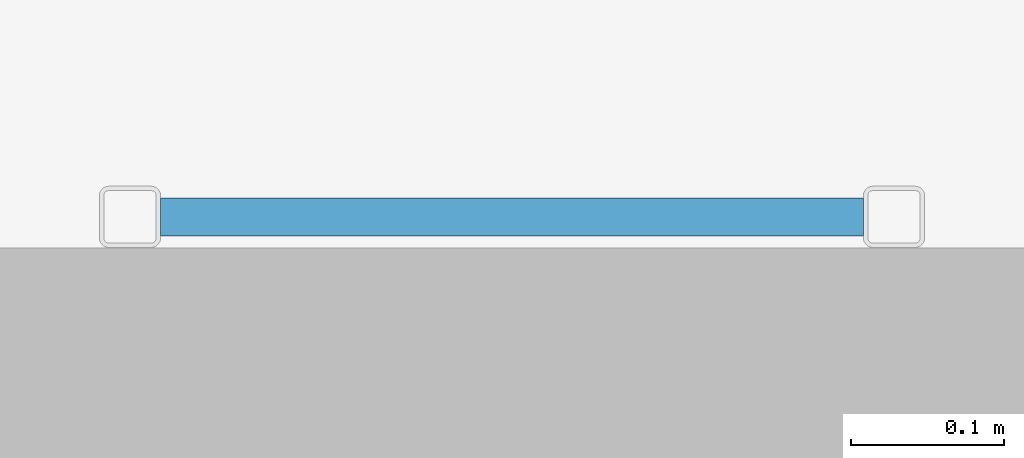
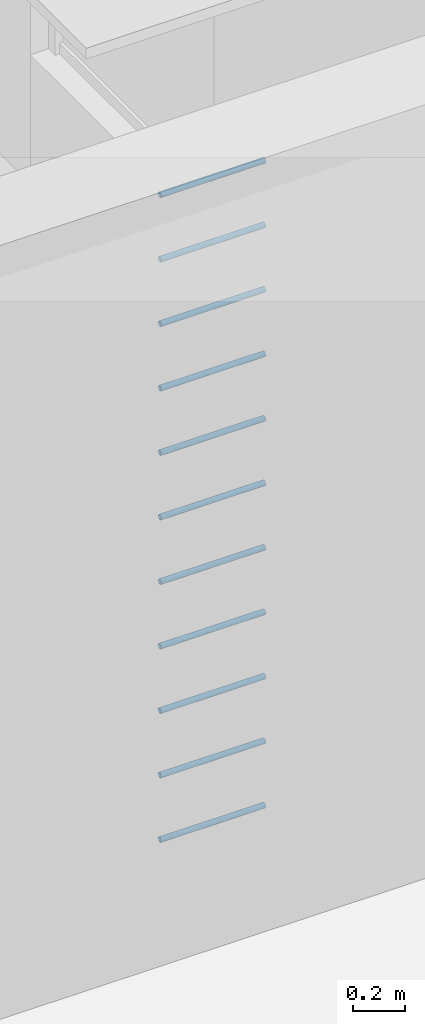
# One storey, part 83 of 94: 11 discrete accessories.
"""IFC4 building model written with IfcOpenShell, lengths in metres."""

from ifc_helpers import new_model, si_unit, direction, frame, origin, origin_2d, place, context, subcontext, project, spatial, hollow_circle, extrude, material, material_profile, profile_set, type_object, element, save


model = new_model("IFC4")

# Units and contexts
model_context = context("Model", 3, precision=1e-05, world=origin(), true_north=direction((0.0, 1.0)))
body_context = subcontext(model_context, "Body", "Model", "MODEL_VIEW")
ifc_project = project(units=[si_unit("LENGTHUNIT", "METRE"), si_unit("AREAUNIT", "SQUARE_METRE"), si_unit("VOLUMEUNIT", "CUBIC_METRE"), si_unit("PLANEANGLEUNIT", "RADIAN"), si_unit("MASSUNIT", "GRAM", prefix="KILO")], contexts=[model_context])

# Site, building, storey
site_placement = place(None, origin())
site = spatial("IfcSite", under=ifc_project, at=site_placement, CompositionType="ELEMENT")
building_placement = place(site_placement, origin())
building = spatial("IfcBuilding", under=site, at=building_placement, Name="Yavir Park General Hospital", CompositionType="ELEMENT")
storey_placement = place(building_placement, frame((0.0, 0.0, 4.5)))
storey = spatial("IfcBuildingStorey", under=building, at=storey_placement, Name="L01", CompositionType="ELEMENT", Elevation=4.5)

# Discrete accessories
ifc_material = material(Name="Steel S355", Category="steel")
ifc_material_profile = material_profile(ifc_material, hollow_circle(Radius=0.012451171875, WallThickness=0.0029296875, at=origin_2d()), Name="CHS25x3")
ifc_profile_set = profile_set([ifc_material_profile], Name="Steel S355")
discrete_accessory_type = type_object("IfcDiscreteAccessoryType", Name="Ladder rung CHS 25", PredefinedType="BRACKET", material=ifc_profile_set)
for number, where, z_axis, x_axis, name in (
    (1, (165.919921875, 50.6201171875, 0.25), (1.0, 0.0, 0.0), (0.0, 1.0, 0.0), "Ladder rung ES1 1"),
    (2, (165.919921875, 50.6201171875, 0.550048828125), (1.0, 0.0, 0.0), (0.0, 1.0, 0.0), "Ladder rung ES1 2"),
    (3, (165.919921875, 50.6201171875, 0.85009765625), (1.0, 0.0, 0.0), (0.0, 1.0, 0.0), "Ladder rung ES1 3"),
    (4, (165.919921875, 50.6201171875, 1.14990234375), (1.0, 0.0, 0.0), (0.0, 1.0, 0.0), "Ladder rung ES1 4"),
    (5, (165.919921875, 50.6201171875, 1.449951171875), (1.0, 0.0, 0.0), (0.0, 1.0, 0.0), "Ladder rung ES1 5"),
    (6, (165.919921875, 50.6201171875, 1.75), (1.0, 0.0, 0.0), (0.0, 1.0, 0.0), "Ladder rung ES1 6"),
    (7, (165.919921875, 50.6201171875, 2.050048828125), (1.0, 0.0, 0.0), (0.0, 1.0, 0.0), "Ladder rung ES1 7"),
    (8, (165.919921875, 50.6201171875, 2.35009765625), (1.0, 0.0, 0.0), (0.0, 1.0, 0.0), "Ladder rung ES1 8"),
    (9, (165.919921875, 50.6201171875, 2.64990234375), (1.0, 0.0, 0.0), (0.0, 1.0, 0.0), "Ladder rung ES1 9"),
    (10, (165.919921875, 50.6201171875, 2.949951171875), (1.0, 0.0, 0.0), (0.0, 1.0, 0.0), "Ladder rung ES1 10"),
    (11, (165.919921875, 50.6201171875, 3.25), (1.0, 0.0, 0.0), (0.0, 1.0, 0.0), "Ladder rung ES1 11"),
):
    element("IfcDiscreteAccessory", number, at=place(storey_placement, frame(where, z_axis=z_axis, x_axis=x_axis)), inside=storey, type_object=discrete_accessory_type, Name=name, PredefinedType="BRACKET", context=body_context, shape_type="SweptSolid", body=[
        extrude(hollow_circle(Radius=0.012451171875, WallThickness=0.0029296875, at=origin_2d()), origin(), (0.0, 0.0, 1.0), 0.4599609375),
    ])

save(model, "model.ifc")
